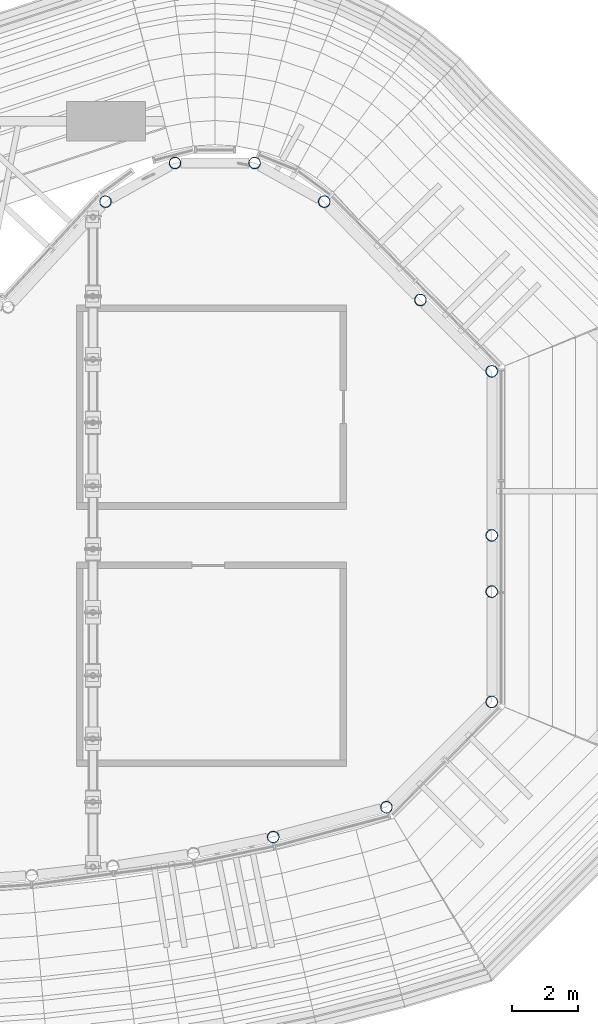
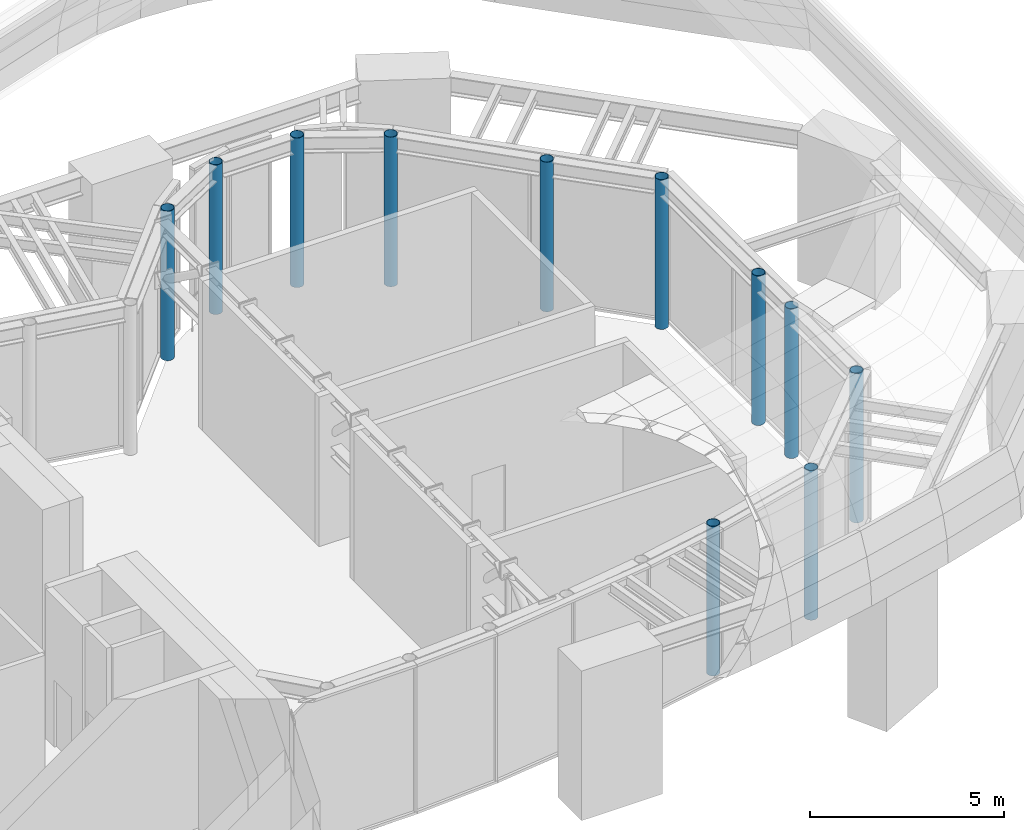
# One storey, part 2 of 20: 11 columns.
"""IFC4 building model written with IfcOpenShell, lengths in metres."""

from ifc_helpers import new_model, si_unit, direction, frame, origin, origin_2d, place, context, subcontext, project, spatial, hollow_circle, extrude, material, material_profile, profile_set, type_object, element, save


model = new_model("IFC4")

# Units and contexts
model_context = context("Model", 3, precision=1e-05, world=origin(), true_north=direction((0.0, 1.0)))
body_context = subcontext(model_context, "Body", "Model", "MODEL_VIEW")
ifc_project = project(units=[si_unit("LENGTHUNIT", "METRE"), si_unit("AREAUNIT", "SQUARE_METRE"), si_unit("VOLUMEUNIT", "CUBIC_METRE"), si_unit("PLANEANGLEUNIT", "RADIAN"), si_unit("MASSUNIT", "GRAM", prefix="KILO")], contexts=[model_context])

# Site, building, storey
site_placement = place(None, origin())
site = spatial("IfcSite", under=ifc_project, at=site_placement, CompositionType="ELEMENT")
building_placement = place(site_placement, origin())
building = spatial("IfcBuilding", under=site, at=building_placement, Name="Brevane Broadcast Tower", CompositionType="ELEMENT")
storey_placement = place(building_placement, frame((0.0, 0.0, 264.199951171875)))
storey = spatial("IfcBuildingStorey", under=building, at=storey_placement, Name="L66", CompositionType="ELEMENT", Elevation=264.199951171875)

# Columns
ifc_material = material(Name="Steel S355", Category="steel")
ifc_material_profile = material_profile(ifc_material, hollow_circle(Radius=0.177734375, WallThickness=0.012451171875, at=origin_2d()), Name="CHS 355.6x12.5")
ifc_profile_set = profile_set([ifc_material_profile], Name="Steel S355")
column_type = type_object("IfcColumnType", Name="STEEL ENCLOSURE POST CHS 355.6x12.5 S355", PredefinedType="COLUMN", material=ifc_profile_set)
for number, where, z_axis, x_axis, name in (
    (1, (33.581298828125, 22.7587890625, 0.0), (0.0, 0.0, 1.0), (1.0, 0.0, 0.0), "SP2 10"),
    (2, (35.692138671875, 23.93359375, 0.0), (0.0, 0.0, 1.0), (1.0, 0.0, 0.0), "SP2 11"),
    (3, (38.10791015625, 23.93359375, 0.0), (0.0, 0.0, 1.0), (1.0, 0.0, 0.0), "SP2 12"),
    (4, (40.21875, 22.7587890625, 0.0), (0.0, 0.0, 1.0), (1.0, 0.0, 0.0), "SP2 13"),
    (5, (43.13623046875, 19.7783203125, 0.0), (0.0, 0.0, 1.0), (1.0, 0.0, 0.0), "SP2 14"),
    (6, (45.300048828125, 17.61474609375, 0.0), (0.0, 0.0, 1.0), (1.0, 0.0, 0.0), "SP2 15"),
    (7, (45.300048828125, 12.636474609375, 0.0), (0.0, 0.0, 1.0), (1.0, 0.0, 0.0), "SP2 16"),
    (8, (45.300048828125, 10.928466796875, 0.0), (0.0, 0.0, 1.0), (1.0, 0.0, 0.0), "SP2 17"),
    (9, (45.300048828125, 7.585205078125, 0.0), (0.0, 0.0, 1.0), (1.0, 0.0, 0.0), "SP2 18"),
    (10, (42.105224609375, 4.390625, 0.0), (0.0, 0.0, 1.0), (1.0, 0.0, 0.0), "SP2 19"),
    (11, (38.672119140625, 3.486083984375, 0.0), (0.0, 0.0, 1.0), (1.0, 0.0, 0.0), "SP2 20"),
):
    element("IfcColumn", number, at=place(storey_placement, frame(where, z_axis=z_axis, x_axis=x_axis)), inside=storey, type_object=column_type, Name=name, PredefinedType="COLUMN", context=body_context, shape_type="SweptSolid", body=[
        extrude(hollow_circle(Radius=0.177734375, WallThickness=0.012451171875, at=origin_2d()), origin(), (0.0, 0.0, 1.0), 4.699951171875),
    ])

save(model, "model.ifc")
